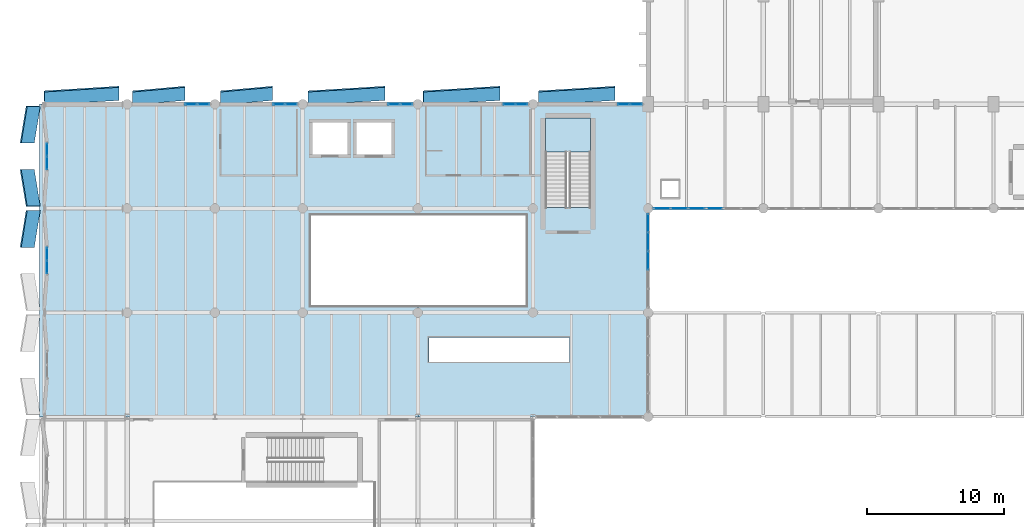
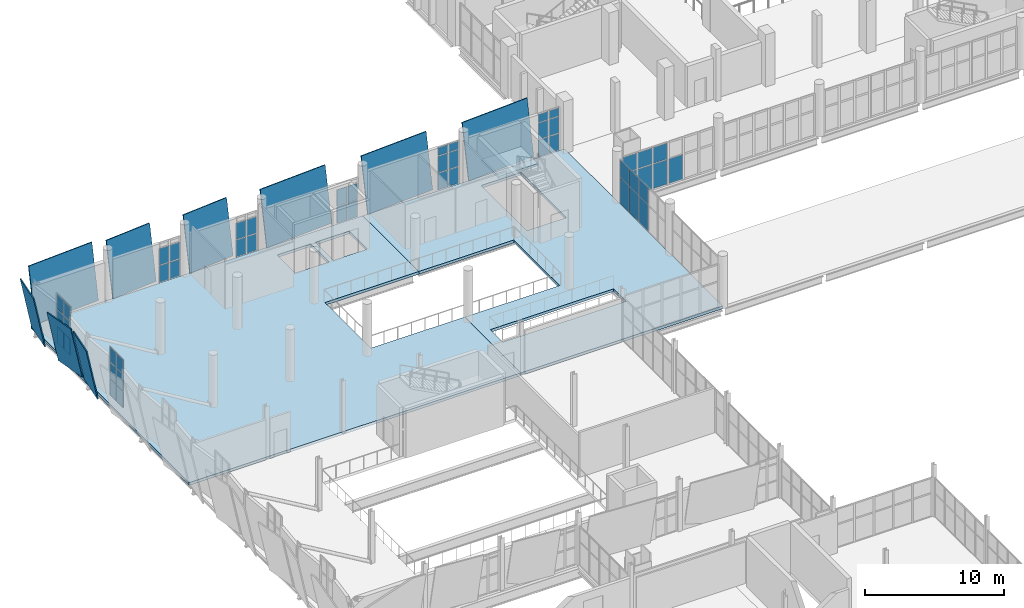
# One storey, part 101 of 136: 58 plates, 3 slabs, 11 elements without a shape of their own.
"""IFC4 building model written with IfcOpenShell, lengths in metres."""

from ifc_helpers import new_model, si_unit, direction, frame, origin, origin_2d, place, context, subcontext, project, spatial, polyline, rectangle, outline, extrude, material, layer, layer_set, type_object, element, aggregate, save


model = new_model("IFC4")

# Units and contexts
model_context = context("Model", 3, precision=1e-05, world=origin(), true_north=direction((0.0, 1.0)))
body_context = subcontext(model_context, "Body", "Model", "MODEL_VIEW")
ifc_project = project(units=[si_unit("LENGTHUNIT", "METRE"), si_unit("AREAUNIT", "SQUARE_METRE"), si_unit("VOLUMEUNIT", "CUBIC_METRE"), si_unit("PLANEANGLEUNIT", "RADIAN"), si_unit("MASSUNIT", "GRAM", prefix="KILO")], contexts=[model_context])

# Site, building, storey
site_placement = place(None, origin())
site = spatial("IfcSite", under=ifc_project, at=site_placement, CompositionType="ELEMENT")
building_placement = place(site_placement, origin())
building = spatial("IfcBuilding", under=site, at=building_placement, Name="Shengluoqiao Park Theatre", CompositionType="ELEMENT")
storey_placement = place(building_placement, frame((0.0, 0.0, 10.0)))
storey = spatial("IfcBuildingStorey", under=building, at=storey_placement, Name="L02", CompositionType="ELEMENT", Elevation=10.0)

# Plates
ifc_material_1 = material(Name="Precast concrete C45", Category="concrete")
ifc_layer_1 = layer(ifc_material_1, 0.090087890625, Name="Precast concrete C45")
ifc_layer_set_1 = layer_set([ifc_layer_1], Name="Precast concrete C45")
plate_type_1 = type_object("IfcPlateType", Name="ENV-CRYS-CP-090", PredefinedType="USERDEFINED", material=ifc_layer_set_1)
plate_1_placement = place(storey_placement, frame((-0.3798828125, 65.56005859375, 0.0), z_axis=(0.966469214449, -0.158656966789, 0.201903998007), x_axis=(0.16199316461, 0.986791880094, 0.0)))
element("IfcPlate", 1, at=plate_1_placement, inside=storey, type_object=plate_type_1, Name="V5 L02 Tilted White Precast Crystal Panel 033", ObjectType="FACADE PANEL", PredefinedType="USERDEFINED", context=body_context, shape_type="SweptSolid", body=[
    extrude(outline(polyline([(0.0, 0.0), (2.7158022828174055, 0.0), (2.5614816460229344, 4.655946331026953), (-0.15432063679447125, 4.655946331026953), (0.0, 0.0)])), origin(), (0.0, 0.0, -1.0), 0.090087890625),
])
plate_2_placement = place(storey_placement, frame((0.06005859375, 68.56005859375, 0.0), z_axis=(0.966469214449, 0.158656966789, 0.201903998007), x_axis=(-0.16199316461, 0.986791880094, 0.0)))
element("IfcPlate", 2, at=plate_2_placement, inside=storey, type_object=plate_type_1, Name="V5 L02 Tilted White Precast Crystal Panel 034", ObjectType="FACADE PANEL", PredefinedType="USERDEFINED", context=body_context, shape_type="SweptSolid", body=[
    extrude(outline(polyline([(0.0, 0.0), (2.7158022828174055, 0.0), (2.8701229196118767, 4.655946331026953), (0.15432063679447125, 4.655946331026953), (0.0, 0.0)])), origin(), (0.0, 0.0, -1.0), 0.090087890625),
])
plate_3_placement = place(storey_placement, frame((-0.3798828125, 73.159912109375, 0.0), z_axis=(0.966471430424, -0.158642878268, 0.201904460944), x_axis=(0.161978795623, 0.98679423882, 0.0)))
element("IfcPlate", 3, at=plate_3_placement, inside=storey, type_object=plate_type_1, Name="V5 L02 Tilted White Precast Crystal Panel 035", ObjectType="FACADE PANEL", PredefinedType="USERDEFINED", context=body_context, shape_type="SweptSolid", body=[
    extrude(outline(polyline([(0.0, 0.0), (2.7160431990917, 0.0), (2.561736250721947, 4.6559467847075755), (-0.15430694836975264, 4.6559467847075755), (0.0, 0.0)])), origin(), (0.0, 0.0, -1.0), 0.090087890625),
])
plate_4_placement = place(storey_placement, frame((0.35009765625, 75.93994140625, 0.0), z_axis=(0.060969675845, -0.977046714921, 0.20411373175), x_axis=(0.998058662622, 0.06228086355, 0.0)))
element("IfcPlate", 4, at=plate_4_placement, inside=storey, type_object=plate_type_1, Name="V5 North L02 Tilted White Precast Crystal Panel 041", ObjectType="FACADE PANEL", PredefinedType="USERDEFINED", context=body_context, shape_type="SweptSolid", body=[
    extrude(outline(polyline([(0.0, 0.0), (5.460551945469565, 0.0), (5.5198829829630185, 4.658125258549189), (0.059331037493454176, 4.658125258549189), (0.0, 0.0)])), origin(), (0.0, 0.0, -1.0), 0.090087890625),
])
for number, where, z_axis, x_axis, name in (
    (5, (6.800048828125, 75.93994140625, 0.0), (0.087270182527, -0.975133087609, 0.203713958018), (0.996019160545, 0.08913939548, 0.0), "V5 North L02 Tilted White Precast Crystal Panel 042"),
    (6, (13.199951171875, 75.93994140625, 0.0), (0.087270182527, -0.975133087609, 0.203713958018), (0.996019160545, 0.08913939548, 0.0), "V5 North L02 Tilted White Precast Crystal Panel 043"),
):
    element("IfcPlate", number, at=place(storey_placement, frame(where, z_axis=z_axis, x_axis=x_axis)), inside=storey, type_object=plate_type_1, Name=name, ObjectType="FACADE PANEL", PredefinedType="USERDEFINED", context=body_context, shape_type="SweptSolid", body=[
        extrude(outline(polyline([(0.0, 0.0), (3.815236672800778, 0.0), (3.900154134021807, 4.657729073392287), (0.0849174612210293, 4.657729073392287), (0.0, 0.0)])), origin(), (0.0, 0.0, -1.0), 0.090087890625),
    ])
plate_5_placement = place(storey_placement, frame((19.60009765625, 75.93994140625, 0.0), z_axis=(0.059343406475, -0.977142652059, 0.20413377387), x_axis=(0.998160924028, 0.060619879111, 0.0)))
element("IfcPlate", 7, at=plate_5_placement, inside=storey, type_object=plate_type_1, Name="V5 North L02 Tilted White Precast Crystal Panel 044", ObjectType="FACADE PANEL", PredefinedType="USERDEFINED", context=body_context, shape_type="SweptSolid", body=[
    extrude(outline(polyline([(0.0, 0.0), (5.610171046394881, 0.0), (5.6679197691222925, 4.658145143870825), (0.0577487227274113, 4.658145143870825), (0.0, 0.0)])), origin(), (0.0, 0.0, -1.0), 0.090087890625),
])
for number, where, z_axis, x_axis, name in (
    (8, (28.0, 75.93994140625, 0.0), (0.059340828463, -0.977142802076, 0.204133805209), (0.998161083934, 0.060617246051, 0.0), "V5 North L02 Tilted White Precast Crystal Panel 045"),
    (9, (36.39990234375, 75.93994140625, 0.0), (0.059340828463, -0.977142802076, 0.204133805209), (0.998161083934, 0.060617246051, 0.0), "V5 North L02 Tilted White Precast Crystal Panel 046"),
):
    element("IfcPlate", number, at=place(storey_placement, frame(where, z_axis=z_axis, x_axis=x_axis)), inside=storey, type_object=plate_type_1, Name=name, ObjectType="FACADE PANEL", PredefinedType="USERDEFINED", context=body_context, shape_type="SweptSolid", body=[
        extrude(outline(polyline([(0.0, 0.0), (5.610414738046244, 0.0), (5.6681609524240475, 4.658145174967074), (0.05774621437780389, 4.658145174967074), (0.0, 0.0)])), origin(), (0.0, 0.0, -1.0), 0.090087890625),
    ])

# Curtain wall, plates
ifc_material_2 = material(Name="Aluminium 6063-T6", Category="aluminium")
curtain_wall_type_1 = type_object("IfcCurtainWallType", Name="ENV-CW-FOYER", PredefinedType="NOTDEFINED", material=ifc_material_2)
curtain_wall_1_placement = place(storey_placement, origin())
curtain_wall_1 = element("IfcCurtainWall", 10, at=curtain_wall_1_placement, inside=storey, type_object=curtain_wall_type_1, Name="L02 Curtain Wall CW-L02-0061", PredefinedType="NOTDEFINED")
ifc_material_3 = material(Name="Insulated glass", Category="glass")
ifc_layer_2 = layer(ifc_material_3, 0.0380859375, Name="Insulated glass")
ifc_layer_set_2 = layer_set([ifc_layer_2], Name="Insulated glass")
plate_type_2 = type_object("IfcPlateType", Name="ENV-GLZ-GL-38", PredefinedType="CURTAIN_PANEL", material=ifc_layer_set_2)
plate_6_placement = place(storey_placement, frame((11.067138671875, 76.0, 0.06494140625), z_axis=(0.0, 0.0, 1.0), x_axis=(1.0, 0.0, 0.0)))
plate_6 = element("IfcPlate", 11, at=plate_6_placement, type_object=plate_type_2, Name="CW-01 panel 1.1", PredefinedType="CURTAIN_PANEL", context=body_context, shape_type="SweptSolid", body=[
    extrude(rectangle(XDim=0.83251953125, YDim=0.0380859375, at=origin_2d()), origin(), (0.0, 0.0, 1.0), 1.452392578125),
])
plate_7_placement = place(storey_placement, frame((11.067138671875, 76.0, 1.58251953125), z_axis=(0.0, 0.0, 1.0), x_axis=(1.0, 0.0, 0.0)))
plate_7 = element("IfcPlate", 12, at=plate_7_placement, type_object=plate_type_2, Name="CW-01 panel 1.2", PredefinedType="CURTAIN_PANEL", context=body_context, shape_type="SweptSolid", body=[
    extrude(rectangle(XDim=0.83251953125, YDim=0.0380859375, at=origin_2d()), origin(), (0.0, 0.0, 1.0), 1.43505859375),
])
plate_8_placement = place(storey_placement, frame((11.96484375, 76.0, 0.06494140625), z_axis=(0.0, 0.0, 1.0), x_axis=(1.0, 0.0, 0.0)))
plate_8 = element("IfcPlate", 13, at=plate_8_placement, type_object=plate_type_2, Name="CW-01 panel 2.1", PredefinedType="CURTAIN_PANEL", context=body_context, shape_type="SweptSolid", body=[
    extrude(rectangle(XDim=0.83251953125, YDim=0.0380859375, at=origin_2d()), origin(), (0.0, 0.0, 1.0), 1.452392578125),
])
plate_9_placement = place(storey_placement, frame((11.96484375, 76.0, 1.58251953125), z_axis=(0.0, 0.0, 1.0), x_axis=(1.0, 0.0, 0.0)))
plate_9 = element("IfcPlate", 14, at=plate_9_placement, type_object=plate_type_2, Name="CW-01 panel 2.2", PredefinedType="CURTAIN_PANEL", context=body_context, shape_type="SweptSolid", body=[
    extrude(rectangle(XDim=0.83251953125, YDim=0.0380859375, at=origin_2d()), origin(), (0.0, 0.0, 1.0), 1.43505859375),
])
aggregate(curtain_wall_1, [plate_6, plate_7, plate_8, plate_9])

curtain_wall_2_placement = place(storey_placement, origin())
curtain_wall_2 = element("IfcCurtainWall", 15, at=curtain_wall_2_placement, inside=storey, type_object=curtain_wall_type_1, Name="L02 Curtain Wall CW-L02-0062", PredefinedType="NOTDEFINED")
plate_10_placement = place(storey_placement, frame((17.46728515625, 76.0, 0.06494140625), z_axis=(0.0, 0.0, 1.0), x_axis=(1.0, 0.0, 0.0)))
plate_10 = element("IfcPlate", 16, at=plate_10_placement, type_object=plate_type_2, Name="CW-01 panel 1.1", PredefinedType="CURTAIN_PANEL", context=body_context, shape_type="SweptSolid", body=[
    extrude(rectangle(XDim=0.83251953125, YDim=0.0380859375, at=origin_2d()), origin(), (0.0, 0.0, 1.0), 1.452392578125),
])
plate_11_placement = place(storey_placement, frame((17.46728515625, 76.0, 1.58251953125), z_axis=(0.0, 0.0, 1.0), x_axis=(1.0, 0.0, 0.0)))
plate_11 = element("IfcPlate", 17, at=plate_11_placement, type_object=plate_type_2, Name="CW-01 panel 1.2", PredefinedType="CURTAIN_PANEL", context=body_context, shape_type="SweptSolid", body=[
    extrude(rectangle(XDim=0.83251953125, YDim=0.0380859375, at=origin_2d()), origin(), (0.0, 0.0, 1.0), 1.43505859375),
])
plate_12_placement = place(storey_placement, frame((18.36474609375, 76.0, 0.06494140625), z_axis=(0.0, 0.0, 1.0), x_axis=(1.0, 0.0, 0.0)))
plate_12 = element("IfcPlate", 18, at=plate_12_placement, type_object=plate_type_2, Name="CW-01 panel 2.1", PredefinedType="CURTAIN_PANEL", context=body_context, shape_type="SweptSolid", body=[
    extrude(rectangle(XDim=0.83251953125, YDim=0.0380859375, at=origin_2d()), origin(), (0.0, 0.0, 1.0), 1.452392578125),
])
plate_13_placement = place(storey_placement, frame((18.36474609375, 76.0, 1.58251953125), z_axis=(0.0, 0.0, 1.0), x_axis=(1.0, 0.0, 0.0)))
plate_13 = element("IfcPlate", 19, at=plate_13_placement, type_object=plate_type_2, Name="CW-01 panel 2.2", PredefinedType="CURTAIN_PANEL", context=body_context, shape_type="SweptSolid", body=[
    extrude(rectangle(XDim=0.83251953125, YDim=0.0380859375, at=origin_2d()), origin(), (0.0, 0.0, 1.0), 1.43505859375),
])
aggregate(curtain_wall_2, [plate_10, plate_11, plate_12, plate_13])

curtain_wall_3_placement = place(storey_placement, origin())
curtain_wall_3 = element("IfcCurtainWall", 20, at=curtain_wall_3_placement, inside=storey, type_object=curtain_wall_type_1, Name="L02 Curtain Wall CW-L02-0063", PredefinedType="NOTDEFINED")
plate_14_placement = place(storey_placement, frame((25.8671875, 76.0, 0.06494140625), z_axis=(0.0, 0.0, 1.0), x_axis=(1.0, 0.0, 0.0)))
plate_14 = element("IfcPlate", 21, at=plate_14_placement, type_object=plate_type_2, Name="CW-01 panel 1.1", PredefinedType="CURTAIN_PANEL", context=body_context, shape_type="SweptSolid", body=[
    extrude(rectangle(XDim=0.83251953125, YDim=0.0380859375, at=origin_2d()), origin(), (0.0, 0.0, 1.0), 1.452392578125),
])
plate_15_placement = place(storey_placement, frame((25.8671875, 76.0, 1.58251953125), z_axis=(0.0, 0.0, 1.0), x_axis=(1.0, 0.0, 0.0)))
plate_15 = element("IfcPlate", 22, at=plate_15_placement, type_object=plate_type_2, Name="CW-01 panel 1.2", PredefinedType="CURTAIN_PANEL", context=body_context, shape_type="SweptSolid", body=[
    extrude(rectangle(XDim=0.83251953125, YDim=0.0380859375, at=origin_2d()), origin(), (0.0, 0.0, 1.0), 1.43505859375),
])
plate_16_placement = place(storey_placement, frame((26.7646484375, 76.0, 0.06494140625), z_axis=(0.0, 0.0, 1.0), x_axis=(1.0, 0.0, 0.0)))
plate_16 = element("IfcPlate", 23, at=plate_16_placement, type_object=plate_type_2, Name="CW-01 panel 2.1", PredefinedType="CURTAIN_PANEL", context=body_context, shape_type="SweptSolid", body=[
    extrude(rectangle(XDim=0.83251953125, YDim=0.0380859375, at=origin_2d()), origin(), (0.0, 0.0, 1.0), 1.452392578125),
])
plate_17_placement = place(storey_placement, frame((26.7646484375, 76.0, 1.58251953125), z_axis=(0.0, 0.0, 1.0), x_axis=(1.0, 0.0, 0.0)))
plate_17 = element("IfcPlate", 24, at=plate_17_placement, type_object=plate_type_2, Name="CW-01 panel 2.2", PredefinedType="CURTAIN_PANEL", context=body_context, shape_type="SweptSolid", body=[
    extrude(rectangle(XDim=0.83251953125, YDim=0.0380859375, at=origin_2d()), origin(), (0.0, 0.0, 1.0), 1.43505859375),
])
aggregate(curtain_wall_3, [plate_14, plate_15, plate_16, plate_17])

curtain_wall_4_placement = place(storey_placement, origin())
curtain_wall_4 = element("IfcCurtainWall", 25, at=curtain_wall_4_placement, inside=storey, type_object=curtain_wall_type_1, Name="L02 Curtain Wall CW-L02-0064", PredefinedType="NOTDEFINED")
plate_18_placement = place(storey_placement, frame((34.267333984375, 76.0, 0.06494140625), z_axis=(0.0, 0.0, 1.0), x_axis=(1.0, 0.0, 0.0)))
plate_18 = element("IfcPlate", 26, at=plate_18_placement, type_object=plate_type_2, Name="CW-01 panel 1.1", PredefinedType="CURTAIN_PANEL", context=body_context, shape_type="SweptSolid", body=[
    extrude(rectangle(XDim=0.83251953125, YDim=0.0380859375, at=origin_2d()), origin(), (0.0, 0.0, 1.0), 1.452392578125),
])
plate_19_placement = place(storey_placement, frame((34.267333984375, 76.0, 1.58251953125), z_axis=(0.0, 0.0, 1.0), x_axis=(1.0, 0.0, 0.0)))
plate_19 = element("IfcPlate", 27, at=plate_19_placement, type_object=plate_type_2, Name="CW-01 panel 1.2", PredefinedType="CURTAIN_PANEL", context=body_context, shape_type="SweptSolid", body=[
    extrude(rectangle(XDim=0.83251953125, YDim=0.0380859375, at=origin_2d()), origin(), (0.0, 0.0, 1.0), 1.43505859375),
])
plate_20_placement = place(storey_placement, frame((34.267333984375, 76.0, 3.08251953125), z_axis=(0.0, 0.0, 1.0), x_axis=(1.0, 0.0, 0.0)))
plate_20 = element("IfcPlate", 28, at=plate_20_placement, type_object=plate_type_2, Name="CW-01 panel 1.3", PredefinedType="CURTAIN_PANEL", context=body_context, shape_type="SweptSolid", body=[
    extrude(rectangle(XDim=0.83251953125, YDim=0.0380859375, at=origin_2d()), origin(), (0.0, 0.0, 1.0), 0.702392578125),
])
plate_21_placement = place(storey_placement, frame((35.164794921875, 76.0, 0.06494140625), z_axis=(0.0, 0.0, 1.0), x_axis=(1.0, 0.0, 0.0)))
plate_21 = element("IfcPlate", 29, at=plate_21_placement, type_object=plate_type_2, Name="CW-01 panel 2.1", PredefinedType="CURTAIN_PANEL", context=body_context, shape_type="SweptSolid", body=[
    extrude(rectangle(XDim=0.83251953125, YDim=0.0380859375, at=origin_2d()), origin(), (0.0, 0.0, 1.0), 1.452392578125),
])
plate_22_placement = place(storey_placement, frame((35.164794921875, 76.0, 1.58251953125), z_axis=(0.0, 0.0, 1.0), x_axis=(1.0, 0.0, 0.0)))
plate_22 = element("IfcPlate", 30, at=plate_22_placement, type_object=plate_type_2, Name="CW-01 panel 2.2", PredefinedType="CURTAIN_PANEL", context=body_context, shape_type="SweptSolid", body=[
    extrude(rectangle(XDim=0.83251953125, YDim=0.0380859375, at=origin_2d()), origin(), (0.0, 0.0, 1.0), 1.43505859375),
])
plate_23_placement = place(storey_placement, frame((35.164794921875, 76.0, 3.08251953125), z_axis=(0.0, 0.0, 1.0), x_axis=(1.0, 0.0, 0.0)))
plate_23 = element("IfcPlate", 31, at=plate_23_placement, type_object=plate_type_2, Name="CW-01 panel 2.3", PredefinedType="CURTAIN_PANEL", context=body_context, shape_type="SweptSolid", body=[
    extrude(rectangle(XDim=0.83251953125, YDim=0.0380859375, at=origin_2d()), origin(), (0.0, 0.0, 1.0), 0.702392578125),
])
aggregate(curtain_wall_4, [plate_18, plate_19, plate_20, plate_21, plate_22, plate_23])

curtain_wall_5_placement = place(storey_placement, origin())
curtain_wall_5 = element("IfcCurtainWall", 32, at=curtain_wall_5_placement, inside=storey, type_object=curtain_wall_type_1, Name="L02 Curtain Wall CW-L02-0065", PredefinedType="NOTDEFINED")
plate_24_placement = place(storey_placement, frame((42.6171875, 76.0, 0.06494140625), z_axis=(0.0, 0.0, 1.0), x_axis=(1.0, 0.0, 0.0)))
plate_24 = element("IfcPlate", 33, at=plate_24_placement, type_object=plate_type_2, Name="CW-01 panel 1.1", PredefinedType="CURTAIN_PANEL", context=body_context, shape_type="SweptSolid", body=[
    extrude(rectangle(XDim=0.83251953125, YDim=0.0380859375, at=origin_2d()), origin(), (0.0, 0.0, 1.0), 1.452392578125),
])
plate_25_placement = place(storey_placement, frame((42.6171875, 76.0, 1.58251953125), z_axis=(0.0, 0.0, 1.0), x_axis=(1.0, 0.0, 0.0)))
plate_25 = element("IfcPlate", 34, at=plate_25_placement, type_object=plate_type_2, Name="CW-01 panel 1.2", PredefinedType="CURTAIN_PANEL", context=body_context, shape_type="SweptSolid", body=[
    extrude(rectangle(XDim=0.83251953125, YDim=0.0380859375, at=origin_2d()), origin(), (0.0, 0.0, 1.0), 1.43505859375),
])
plate_26_placement = place(storey_placement, frame((42.6171875, 76.0, 3.08251953125), z_axis=(0.0, 0.0, 1.0), x_axis=(1.0, 0.0, 0.0)))
plate_26 = element("IfcPlate", 35, at=plate_26_placement, type_object=plate_type_2, Name="CW-01 panel 1.3", PredefinedType="CURTAIN_PANEL", context=body_context, shape_type="SweptSolid", body=[
    extrude(rectangle(XDim=0.83251953125, YDim=0.0380859375, at=origin_2d()), origin(), (0.0, 0.0, 1.0), 0.702392578125),
])
plate_27_placement = place(storey_placement, frame((43.5146484375, 76.0, 0.06494140625), z_axis=(0.0, 0.0, 1.0), x_axis=(1.0, 0.0, 0.0)))
plate_27 = element("IfcPlate", 36, at=plate_27_placement, type_object=plate_type_2, Name="CW-01 panel 2.1", PredefinedType="CURTAIN_PANEL", context=body_context, shape_type="SweptSolid", body=[
    extrude(rectangle(XDim=0.83251953125, YDim=0.0380859375, at=origin_2d()), origin(), (0.0, 0.0, 1.0), 1.452392578125),
])
plate_28_placement = place(storey_placement, frame((43.5146484375, 76.0, 1.58251953125), z_axis=(0.0, 0.0, 1.0), x_axis=(1.0, 0.0, 0.0)))
plate_28 = element("IfcPlate", 37, at=plate_28_placement, type_object=plate_type_2, Name="CW-01 panel 2.2", PredefinedType="CURTAIN_PANEL", context=body_context, shape_type="SweptSolid", body=[
    extrude(rectangle(XDim=0.83251953125, YDim=0.0380859375, at=origin_2d()), origin(), (0.0, 0.0, 1.0), 1.43505859375),
])
plate_29_placement = place(storey_placement, frame((43.5146484375, 76.0, 3.08251953125), z_axis=(0.0, 0.0, 1.0), x_axis=(1.0, 0.0, 0.0)))
plate_29 = element("IfcPlate", 38, at=plate_29_placement, type_object=plate_type_2, Name="CW-01 panel 2.3", PredefinedType="CURTAIN_PANEL", context=body_context, shape_type="SweptSolid", body=[
    extrude(rectangle(XDim=0.83251953125, YDim=0.0380859375, at=origin_2d()), origin(), (0.0, 0.0, 1.0), 0.702392578125),
])
aggregate(curtain_wall_5, [plate_24, plate_25, plate_26, plate_27, plate_28, plate_29])

curtain_wall_type_2 = type_object("IfcCurtainWallType", Name="ENV-CW-PROM", PredefinedType="NOTDEFINED", material=ifc_material_2)
curtain_wall_6_placement = place(storey_placement, origin())
curtain_wall_6 = element("IfcCurtainWall", 39, at=curtain_wall_6_placement, inside=storey, type_object=curtain_wall_type_2, Name="L02 Curtain Wall CW-L02-0066", PredefinedType="NOTDEFINED")
plate_30_placement = place(storey_placement, frame((45.4111328125, 68.39990234375, 0.06494140625), z_axis=(0.0, 0.0, 1.0), x_axis=(1.0, 0.0, 0.0)))
plate_30 = element("IfcPlate", 40, at=plate_30_placement, type_object=plate_type_2, Name="CW-04 panel 1.1", PredefinedType="CURTAIN_PANEL", context=body_context, shape_type="SweptSolid", body=[
    extrude(rectangle(XDim=1.1845703125, YDim=0.0380859375, at=origin_2d()), origin(), (0.0, 0.0, 1.0), 2.1474609375),
])
plate_31_placement = place(storey_placement, frame((45.4111328125, 68.39990234375, 2.277587890625), z_axis=(0.0, 0.0, 1.0), x_axis=(1.0, 0.0, 0.0)))
plate_31 = element("IfcPlate", 41, at=plate_31_placement, type_object=plate_type_2, Name="CW-04 panel 1.2", PredefinedType="CURTAIN_PANEL", context=body_context, shape_type="SweptSolid", body=[
    extrude(rectangle(XDim=1.1845703125, YDim=0.0380859375, at=origin_2d()), origin(), (0.0, 0.0, 1.0), 1.3994140625),
])
plate_32_placement = place(storey_placement, frame((46.677001953125, 68.39990234375, 0.06494140625), z_axis=(0.0, 0.0, 1.0), x_axis=(1.0, 0.0, 0.0)))
plate_32 = element("IfcPlate", 42, at=plate_32_placement, type_object=plate_type_2, Name="CW-04 panel 2.1", PredefinedType="CURTAIN_PANEL", context=body_context, shape_type="SweptSolid", body=[
    extrude(rectangle(XDim=1.217041015625, YDim=0.0380859375, at=origin_2d()), origin(), (0.0, 0.0, 1.0), 2.1474609375),
])
plate_33_placement = place(storey_placement, frame((46.677001953125, 68.39990234375, 2.277587890625), z_axis=(0.0, 0.0, 1.0), x_axis=(1.0, 0.0, 0.0)))
plate_33 = element("IfcPlate", 43, at=plate_33_placement, type_object=plate_type_2, Name="CW-04 panel 2.2", PredefinedType="CURTAIN_PANEL", context=body_context, shape_type="SweptSolid", body=[
    extrude(rectangle(XDim=1.217041015625, YDim=0.0380859375, at=origin_2d()), origin(), (0.0, 0.0, 1.0), 1.3994140625),
])
plate_34_placement = place(storey_placement, frame((47.94287109375, 68.39990234375, 0.06494140625), z_axis=(0.0, 0.0, 1.0), x_axis=(1.0, 0.0, 0.0)))
plate_34 = element("IfcPlate", 44, at=plate_34_placement, type_object=plate_type_2, Name="CW-04 panel 3.1", PredefinedType="CURTAIN_PANEL", context=body_context, shape_type="SweptSolid", body=[
    extrude(rectangle(XDim=1.1845703125, YDim=0.0380859375, at=origin_2d()), origin(), (0.0, 0.0, 1.0), 2.1474609375),
])
plate_35_placement = place(storey_placement, frame((47.94287109375, 68.39990234375, 2.277587890625), z_axis=(0.0, 0.0, 1.0), x_axis=(1.0, 0.0, 0.0)))
plate_35 = element("IfcPlate", 45, at=plate_35_placement, type_object=plate_type_2, Name="CW-04 panel 3.2", PredefinedType="CURTAIN_PANEL", context=body_context, shape_type="SweptSolid", body=[
    extrude(rectangle(XDim=1.1845703125, YDim=0.0380859375, at=origin_2d()), origin(), (0.0, 0.0, 1.0), 1.3994140625),
])
aggregate(curtain_wall_6, [plate_30, plate_31, plate_32, plate_33, plate_34, plate_35])

# Curtain wall, plate
curtain_wall_7_placement = place(storey_placement, origin())
curtain_wall_7 = element("IfcCurtainWall", 46, at=curtain_wall_7_placement, inside=storey, type_object=curtain_wall_type_2, Name="L02 Curtain Wall CW-L02-0067", PredefinedType="NOTDEFINED")
plate_36_placement = place(storey_placement, frame((49.25732421875, 68.39990234375, 0.06494140625), z_axis=(0.0, 0.0, 1.0), x_axis=(1.0, 0.0, 0.0)))
plate_36 = element("IfcPlate", 47, at=plate_36_placement, type_object=plate_type_2, Name="CW-04 panel 1.1", PredefinedType="CURTAIN_PANEL", context=body_context, shape_type="SweptSolid", body=[
    extrude(rectangle(XDim=1.1845703125, YDim=0.0380859375, at=origin_2d()), origin(), (0.0, 0.0, 1.0), 2.1474609375),
])
aggregate(curtain_wall_7, [plate_36])

# Curtain wall, plates
curtain_wall_type_3 = type_object("IfcCurtainWallType", Name="ENV-CW-COURT", PredefinedType="NOTDEFINED", material=ifc_material_2)
curtain_wall_8_placement = place(storey_placement, origin())
curtain_wall_8 = element("IfcCurtainWall", 48, at=curtain_wall_8_placement, inside=storey, type_object=curtain_wall_type_3, Name="L02 Curtain Wall CWX-L02-0216", PredefinedType="NOTDEFINED")
plate_37_placement = place(storey_placement, frame((44.39990234375, 64.60009765625, 0.06005859375), z_axis=(0.0, 0.0, 1.0), x_axis=(0.0, 1.0, 0.0)))
plate_37 = element("IfcPlate", 49, at=plate_37_placement, type_object=plate_type_2, Name="CW-05 panel 3.1", PredefinedType="CURTAIN_PANEL", context=body_context, shape_type="SweptSolid", body=[
    extrude(rectangle(XDim=1.318359375, YDim=0.0380859375, at=origin_2d()), origin(), (0.0, 0.0, 1.0), 2.279052734375),
])
plate_38_placement = place(storey_placement, frame((44.39990234375, 64.60009765625, 2.39892578125), z_axis=(0.0, 0.0, 1.0), x_axis=(0.0, 1.0, 0.0)))
plate_38 = element("IfcPlate", 50, at=plate_38_placement, type_object=plate_type_2, Name="CW-05 panel 3.2", PredefinedType="CURTAIN_PANEL", context=body_context, shape_type="SweptSolid", body=[
    extrude(rectangle(XDim=1.318359375, YDim=0.0380859375, at=origin_2d()), origin(), (0.0, 0.0, 1.0), 1.489013671875),
])
plate_39_placement = place(storey_placement, frame((44.39990234375, 65.978515625, 0.06005859375), z_axis=(0.0, 0.0, 1.0), x_axis=(0.0, 1.0, 0.0)))
plate_39 = element("IfcPlate", 51, at=plate_39_placement, type_object=plate_type_2, Name="CW-05 panel 4.1", PredefinedType="CURTAIN_PANEL", context=body_context, shape_type="SweptSolid", body=[
    extrude(rectangle(XDim=1.318359375, YDim=0.0380859375, at=origin_2d()), origin(), (0.0, 0.0, 1.0), 2.279052734375),
])
plate_40_placement = place(storey_placement, frame((44.39990234375, 65.978515625, 2.39892578125), z_axis=(0.0, 0.0, 1.0), x_axis=(0.0, 1.0, 0.0)))
plate_40 = element("IfcPlate", 52, at=plate_40_placement, type_object=plate_type_2, Name="CW-05 panel 4.2", PredefinedType="CURTAIN_PANEL", context=body_context, shape_type="SweptSolid", body=[
    extrude(rectangle(XDim=1.318359375, YDim=0.0380859375, at=origin_2d()), origin(), (0.0, 0.0, 1.0), 1.489013671875),
])
plate_41_placement = place(storey_placement, frame((44.39990234375, 67.341796875, 0.06005859375), z_axis=(0.0, 0.0, 1.0), x_axis=(0.0, 1.0, 0.0)))
plate_41 = element("IfcPlate", 53, at=plate_41_placement, type_object=plate_type_2, Name="CW-05 panel 5.1", PredefinedType="CURTAIN_PANEL", context=body_context, shape_type="SweptSolid", body=[
    extrude(rectangle(XDim=1.288330078125, YDim=0.0380859375, at=origin_2d()), origin(), (0.0, 0.0, 1.0), 2.279052734375),
])
plate_42_placement = place(storey_placement, frame((44.39990234375, 67.341796875, 2.39892578125), z_axis=(0.0, 0.0, 1.0), x_axis=(0.0, 1.0, 0.0)))
plate_42 = element("IfcPlate", 54, at=plate_42_placement, type_object=plate_type_2, Name="CW-05 panel 5.2", PredefinedType="CURTAIN_PANEL", context=body_context, shape_type="SweptSolid", body=[
    extrude(rectangle(XDim=1.288330078125, YDim=0.0380859375, at=origin_2d()), origin(), (0.0, 0.0, 1.0), 1.489013671875),
])
aggregate(curtain_wall_8, [plate_37, plate_38, plate_39, plate_40, plate_41, plate_42])

curtain_wall_9_placement = place(storey_placement, origin())
curtain_wall_9 = element("IfcCurtainWall", 55, at=curtain_wall_9_placement, inside=storey, type_object=curtain_wall_type_1, Name="L02 Curtain Wall CW-L02-SLIT-0242", PredefinedType="NOTDEFINED")
plate_43_placement = place(storey_placement, frame((0.56005859375, 64.1162109375, 0.06494140625), z_axis=(0.0, 0.0, 1.0), x_axis=(0.0, 1.0, 0.0)))
plate_43 = element("IfcPlate", 56, at=plate_43_placement, type_object=plate_type_2, Name="CW-01 panel 1.1", PredefinedType="CURTAIN_PANEL", context=body_context, shape_type="SweptSolid", body=[
    extrude(rectangle(XDim=0.902587890625, YDim=0.0380859375, at=origin_2d()), origin(), (0.0, 0.0, 1.0), 1.402587890625),
])
plate_44_placement = place(storey_placement, frame((0.56005859375, 64.1162109375, 1.532470703125), z_axis=(0.0, 0.0, 1.0), x_axis=(0.0, 1.0, 0.0)))
plate_44 = element("IfcPlate", 57, at=plate_44_placement, type_object=plate_type_2, Name="CW-01 panel 1.2", PredefinedType="CURTAIN_PANEL", context=body_context, shape_type="SweptSolid", body=[
    extrude(rectangle(XDim=0.902587890625, YDim=0.0380859375, at=origin_2d()), origin(), (0.0, 0.0, 1.0), 1.43505859375),
])
plate_45_placement = place(storey_placement, frame((0.56005859375, 64.1162109375, 3.03271484375), z_axis=(0.0, 0.0, 1.0), x_axis=(0.0, 1.0, 0.0)))
plate_45 = element("IfcPlate", 58, at=plate_45_placement, type_object=plate_type_2, Name="CW-01 panel 1.3", PredefinedType="CURTAIN_PANEL", context=body_context, shape_type="SweptSolid", body=[
    extrude(rectangle(XDim=0.902587890625, YDim=0.0380859375, at=origin_2d()), origin(), (0.0, 0.0, 1.0), 1.262451171875),
])
plate_46_placement = place(storey_placement, frame((0.56005859375, 65.083740234375, 0.06494140625), z_axis=(0.0, 0.0, 1.0), x_axis=(0.0, 1.0, 0.0)))
plate_46 = element("IfcPlate", 59, at=plate_46_placement, type_object=plate_type_2, Name="CW-01 panel 2.1", PredefinedType="CURTAIN_PANEL", context=body_context, shape_type="SweptSolid", body=[
    extrude(rectangle(XDim=0.902587890625, YDim=0.0380859375, at=origin_2d()), origin(), (0.0, 0.0, 1.0), 1.402587890625),
])
plate_47_placement = place(storey_placement, frame((0.56005859375, 65.083740234375, 1.532470703125), z_axis=(0.0, 0.0, 1.0), x_axis=(0.0, 1.0, 0.0)))
plate_47 = element("IfcPlate", 60, at=plate_47_placement, type_object=plate_type_2, Name="CW-01 panel 2.2", PredefinedType="CURTAIN_PANEL", context=body_context, shape_type="SweptSolid", body=[
    extrude(rectangle(XDim=0.902587890625, YDim=0.0380859375, at=origin_2d()), origin(), (0.0, 0.0, 1.0), 1.43505859375),
])
plate_48_placement = place(storey_placement, frame((0.56005859375, 65.083740234375, 3.03271484375), z_axis=(0.0, 0.0, 1.0), x_axis=(0.0, 1.0, 0.0)))
plate_48 = element("IfcPlate", 61, at=plate_48_placement, type_object=plate_type_2, Name="CW-01 panel 2.3", PredefinedType="CURTAIN_PANEL", context=body_context, shape_type="SweptSolid", body=[
    extrude(rectangle(XDim=0.902587890625, YDim=0.0380859375, at=origin_2d()), origin(), (0.0, 0.0, 1.0), 1.262451171875),
])
aggregate(curtain_wall_9, [plate_43, plate_44, plate_45, plate_46, plate_47, plate_48])

curtain_wall_10_placement = place(storey_placement, origin())
curtain_wall_10 = element("IfcCurtainWall", 62, at=curtain_wall_10_placement, inside=storey, type_object=curtain_wall_type_1, Name="L02 Curtain Wall CW-L02-SLIT-0243", PredefinedType="NOTDEFINED")
plate_49_placement = place(storey_placement, frame((0.56005859375, 71.71630859375, 0.06494140625), z_axis=(0.0, 0.0, 1.0), x_axis=(0.0, 1.0, 0.0)))
plate_49 = element("IfcPlate", 63, at=plate_49_placement, type_object=plate_type_2, Name="CW-01 panel 1.1", PredefinedType="CURTAIN_PANEL", context=body_context, shape_type="SweptSolid", body=[
    extrude(rectangle(XDim=0.902587890625, YDim=0.0380859375, at=origin_2d()), origin(), (0.0, 0.0, 1.0), 1.402587890625),
])
plate_50_placement = place(storey_placement, frame((0.56005859375, 71.71630859375, 1.532470703125), z_axis=(0.0, 0.0, 1.0), x_axis=(0.0, 1.0, 0.0)))
plate_50 = element("IfcPlate", 64, at=plate_50_placement, type_object=plate_type_2, Name="CW-01 panel 1.2", PredefinedType="CURTAIN_PANEL", context=body_context, shape_type="SweptSolid", body=[
    extrude(rectangle(XDim=0.902587890625, YDim=0.0380859375, at=origin_2d()), origin(), (0.0, 0.0, 1.0), 1.43505859375),
])
plate_51_placement = place(storey_placement, frame((0.56005859375, 71.71630859375, 3.03271484375), z_axis=(0.0, 0.0, 1.0), x_axis=(0.0, 1.0, 0.0)))
plate_51 = element("IfcPlate", 65, at=plate_51_placement, type_object=plate_type_2, Name="CW-01 panel 1.3", PredefinedType="CURTAIN_PANEL", context=body_context, shape_type="SweptSolid", body=[
    extrude(rectangle(XDim=0.902587890625, YDim=0.0380859375, at=origin_2d()), origin(), (0.0, 0.0, 1.0), 1.262451171875),
])
plate_52_placement = place(storey_placement, frame((0.56005859375, 72.683837890625, 0.06494140625), z_axis=(0.0, 0.0, 1.0), x_axis=(0.0, 1.0, 0.0)))
plate_52 = element("IfcPlate", 66, at=plate_52_placement, type_object=plate_type_2, Name="CW-01 panel 2.1", PredefinedType="CURTAIN_PANEL", context=body_context, shape_type="SweptSolid", body=[
    extrude(rectangle(XDim=0.902587890625, YDim=0.0380859375, at=origin_2d()), origin(), (0.0, 0.0, 1.0), 1.402587890625),
])
plate_53_placement = place(storey_placement, frame((0.56005859375, 72.683837890625, 1.532470703125), z_axis=(0.0, 0.0, 1.0), x_axis=(0.0, 1.0, 0.0)))
plate_53 = element("IfcPlate", 67, at=plate_53_placement, type_object=plate_type_2, Name="CW-01 panel 2.2", PredefinedType="CURTAIN_PANEL", context=body_context, shape_type="SweptSolid", body=[
    extrude(rectangle(XDim=0.902587890625, YDim=0.0380859375, at=origin_2d()), origin(), (0.0, 0.0, 1.0), 1.43505859375),
])
plate_54_placement = place(storey_placement, frame((0.56005859375, 72.683837890625, 3.03271484375), z_axis=(0.0, 0.0, 1.0), x_axis=(0.0, 1.0, 0.0)))
plate_54 = element("IfcPlate", 68, at=plate_54_placement, type_object=plate_type_2, Name="CW-01 panel 2.3", PredefinedType="CURTAIN_PANEL", context=body_context, shape_type="SweptSolid", body=[
    extrude(rectangle(XDim=0.902587890625, YDim=0.0380859375, at=origin_2d()), origin(), (0.0, 0.0, 1.0), 1.262451171875),
])
aggregate(curtain_wall_10, [plate_49, plate_50, plate_51, plate_52, plate_53, plate_54])

# Stair, slab
ifc_material_4 = material(Name="Concrete C40", Category="concrete")
stair_type = type_object("IfcStairType", Name="INT-STR-CORE", PredefinedType="HALF_TURN_STAIR", material=ifc_material_4)
stair_placement = place(storey_placement, origin())
stair = element("IfcStair", 69, at=stair_placement, inside=storey, type_object=stair_type, Name="L02 West Foyer Escape Stair 01", PredefinedType="HALF_TURN_STAIR")
ifc_layer_3 = layer(ifc_material_4, 0.199951171875, Name="Concrete C40")
ifc_layer_set_3 = layer_set([ifc_layer_3], Name="Concrete C40")
slab_type_1 = type_object("IfcSlabType", Name="INT-LND-SL-200", PredefinedType="LANDING", material=ifc_layer_set_3)
slab_1_placement = place(storey_placement, frame((0.0, 0.0, 2.10009765625)))
slab_1 = element("IfcSlab", 70, at=slab_1_placement, type_object=slab_type_1, Name="ST-01 landing 1", PredefinedType="LANDING", context=body_context, shape_type="SweptSolid", body=[
    extrude(outline(polyline([(40.199951171875, 72.510009765625), (40.199951171875, 75.0), (36.89990234375, 75.0), (36.89990234375, 72.510009765625), (40.199951171875, 72.510009765625)])), origin(), (0.0, 0.0, 1.0), 0.199951171875),
])
aggregate(stair, [slab_1])

# Slabs
ifc_material_5 = material(Name="Concrete C35", Category="concrete")
ifc_layer_4 = layer(ifc_material_5, 0.239990234375, Name="Concrete C35")
ifc_layer_set_4 = layer_set([ifc_layer_4], Name="Concrete C35")
slab_type_2 = type_object("IfcSlabType", Name="STR-SLB-FL240", PredefinedType="FLOOR", material=ifc_layer_set_4)
slab_2_placement = place(storey_placement, frame((0.0, 0.0, -0.239990234375)))
element("IfcSlab", 71, at=slab_2_placement, inside=storey, type_object=slab_type_2, Name="Floor Slab L02-V5-CW", PredefinedType="FLOOR", context=body_context, shape_type="SweptSolid", body=[
    extrude(outline(polyline([(27.60009765625, 53.199951171875), (0.0, 53.199951171875), (0.0, 76.0), (27.60009765625, 76.0), (27.60009765625, 67.89990234375), (19.800048828125, 67.89990234375), (19.800048828125, 61.300048828125), (27.60009765625, 61.300048828125), (27.60009765625, 53.199951171875)]), holes=[polyline([(25.800048828125, 72.199951171875), (25.800048828125, 74.800048828125), (23.0, 74.800048828125), (23.0, 72.199951171875), (25.800048828125, 72.199951171875)]), polyline([(22.60009765625, 72.199951171875), (22.60009765625, 74.800048828125), (19.800048828125, 74.800048828125), (19.800048828125, 72.199951171875), (22.60009765625, 72.199951171875)])]), origin(), (0.0, 0.0, 1.0), 0.239990234375),
])
slab_3_placement = place(storey_placement, frame((0.0, 0.0, -0.239990234375)))
element("IfcSlab", 72, at=slab_3_placement, inside=storey, type_object=slab_type_2, Name="Floor Slab L02-V5-CE", PredefinedType="FLOOR", context=body_context, shape_type="SweptSolid", body=[
    extrude(outline(polyline([(27.60009765625, 76.0), (44.39990234375, 76.0), (44.39990234375, 53.199951171875), (27.60009765625, 53.199951171875), (27.60009765625, 61.300048828125), (35.5, 61.300048828125), (35.5, 67.89990234375), (27.60009765625, 67.89990234375), (27.60009765625, 76.0)]), holes=[polyline([(38.666015625, 57.199951171875), (38.666015625, 59.0), (28.39990234375, 59.0), (28.39990234375, 57.199951171875), (38.666015625, 57.199951171875)]), polyline([(40.199951171875, 68.4541015625), (40.199951171875, 75.0), (36.89990234375, 75.0), (36.89990234375, 68.4541015625), (40.199951171875, 68.4541015625)])]), origin(), (0.0, 0.0, 1.0), 0.239990234375),
])

save(model, "model.ifc")
